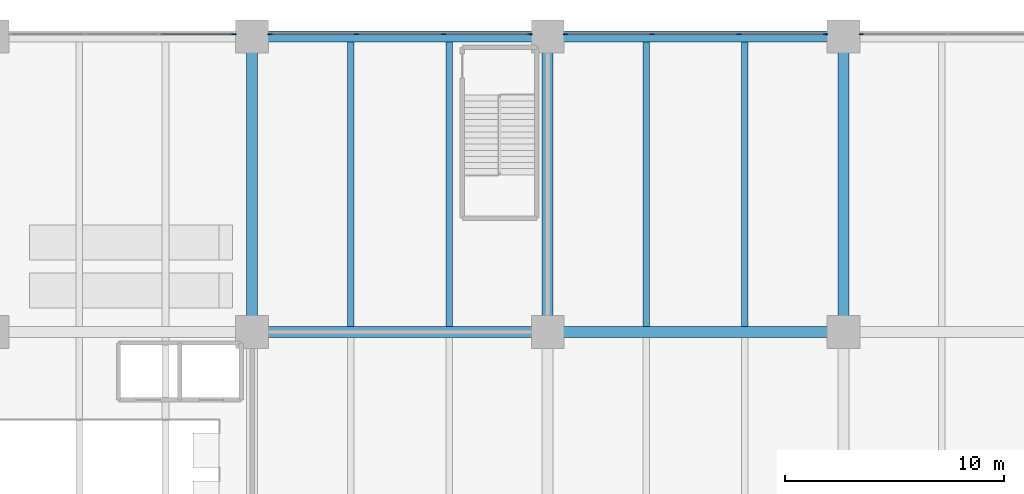
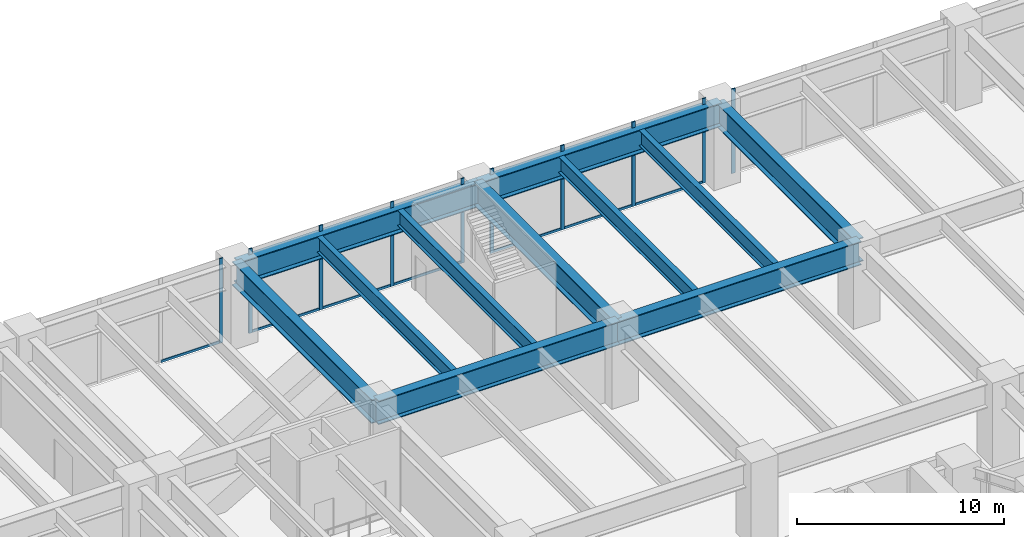
# One storey, part 16 of 32: 17 members, 11 beams, 4 elements without a shape of their own.
"""IFC4 building model written with IfcOpenShell, lengths in metres."""

from ifc_helpers import new_model, si_unit, direction, frame, origin, origin_2d, place, context, subcontext, project, spatial, rectangle, i_section, extrude, material, material_profile, profile_set, type_object, element, aggregate, save


model = new_model("IFC4")

# Units and contexts
model_context = context("Model", 3, precision=1e-05, world=origin(), true_north=direction((0.0, 1.0)))
body_context = subcontext(model_context, "Body", "Model", "MODEL_VIEW")
ifc_project = project(units=[si_unit("LENGTHUNIT", "METRE"), si_unit("AREAUNIT", "SQUARE_METRE"), si_unit("VOLUMEUNIT", "CUBIC_METRE"), si_unit("PLANEANGLEUNIT", "RADIAN"), si_unit("MASSUNIT", "GRAM", prefix="KILO")], contexts=[model_context])

# Site, building, storey
site_placement = place(None, origin())
site = spatial("IfcSite", under=ifc_project, at=site_placement, CompositionType="ELEMENT")
building_placement = place(site_placement, origin())
building = spatial("IfcBuilding", under=site, at=building_placement, Name="Upepo Twin Towers", CompositionType="ELEMENT")
storey_placement = place(building_placement, frame((0.0, 0.0, 5.5)))
storey = spatial("IfcBuildingStorey", under=building, at=storey_placement, Name="L01", CompositionType="ELEMENT", Elevation=5.5)

# Beams
ifc_material_1 = material(Name="Steel S355", Category="steel")
ifc_material_profile_1 = material_profile(ifc_material_1, i_section(OverallWidth=0.5, OverallDepth=1.39990234375, WebThickness=0.02490234375, FlangeThickness=0.050048828125, FilletRadius=0.008056640625, at=origin_2d()), Name="PG 1400x500x25x50")
ifc_profile_set_1 = profile_set([ifc_material_profile_1], Name="Steel S355")
beam_type_1 = type_object("IfcBeamType", Name="Beam PG 1400x500x25x50", PredefinedType="BEAM", material=ifc_profile_set_1)
for number, where, z_axis, x_axis, name in (
    (1, (40.5, 27.0, 3.949951171875), (1.0, 0.0, 0.0), (0.0, 1.0, 0.0), "Podium girder F/6-7"),
    (2, (54.0, 27.0, 3.949951171875), (1.0, 0.0, 0.0), (0.0, 1.0, 0.0), "Podium girder F/7-8"),
    (3, (40.5, 40.5, 3.949951171875), (1.0, 0.0, 0.0), (0.0, 1.0, 0.0), "Podium girder G/6-7"),
    (4, (54.0, 40.5, 3.949951171875), (1.0, 0.0, 0.0), (0.0, 1.0, 0.0), "Podium girder G/7-8"),
    (5, (40.5, 27.0, 3.949951171875), (0.0, 1.0, 0.0), (-1.0, 0.0, 0.0), "Podium girder 6/F-G"),
    (6, (54.0, 27.0, 3.949951171875), (0.0, 1.0, 0.0), (-1.0, 0.0, 0.0), "Podium girder 7/F-G"),
    (7, (67.5, 27.0, 3.949951171875), (0.0, 1.0, 0.0), (-1.0, 0.0, 0.0), "Podium girder 8/F-G"),
):
    element("IfcBeam", number, at=place(storey_placement, frame(where, z_axis=z_axis, x_axis=x_axis)), inside=storey, type_object=beam_type_1, Name=name, PredefinedType="BEAM", context=body_context, shape_type="SweptSolid", body=[
        extrude(i_section(OverallWidth=0.5, OverallDepth=1.39990234375, WebThickness=0.02490234375, FlangeThickness=0.050048828125, FilletRadius=0.008056640625, at=origin_2d()), origin(), (0.0, 0.0, 1.0), 13.5),
    ])

# Curtain wall, member
ifc_material_2 = material(Name="Aluminium and clear glass", Category="aluminium")
curtain_wall_type = type_object("IfcCurtainWallType", Name="Podium curtain wall PW1", PredefinedType="NOTDEFINED", material=ifc_material_2)
curtain_wall_1_placement = place(storey_placement, origin())
curtain_wall_1 = element("IfcCurtainWall", 8, at=curtain_wall_1_placement, inside=storey, type_object=curtain_wall_type, Name="Podium L01 curtain wall N2", PredefinedType="NOTDEFINED")
ifc_material_3 = material(Name="Aluminium mullion", Category="aluminium")
ifc_material_profile_2 = material_profile(ifc_material_3, rectangle(XDim=0.06494140625, YDim=0.199951171875, at=origin_2d()), Name="MULLION 65x200 PODIUM")
ifc_profile_set_2 = profile_set([ifc_material_profile_2], Name="Aluminium mullion")
member_type_1 = type_object("IfcMemberType", Name="Mullion 65x200 PW1", PredefinedType="MULLION", material=ifc_profile_set_2)
member_1_placement = place(storey_placement, frame((68.3173828125, 40.60009765625, 0.0), z_axis=(0.0, 0.0, 1.0), x_axis=(0.0, -1.0, 0.0)))
member_1 = element("IfcMember", 9, at=member_1_placement, type_object=member_type_1, Name="Podium L01 curtain wall N2 mullion 4", PredefinedType="MULLION", context=body_context, shape_type="SweptSolid", body=[
    extrude(rectangle(XDim=0.06494140625, YDim=0.199951171875, at=origin_2d()), origin(), (0.0, 0.0, 1.0), 5.0),
])
aggregate(curtain_wall_1, [member_1])

# Curtain wall, members
curtain_wall_2_placement = place(storey_placement, origin())
curtain_wall_2 = element("IfcCurtainWall", 10, at=curtain_wall_2_placement, inside=storey, type_object=curtain_wall_type, Name="Podium L01 curtain wall N3", PredefinedType="NOTDEFINED")
member_2_placement = place(storey_placement, frame((66.6826171875, 40.60009765625, 0.0), z_axis=(0.0, 0.0, 1.0), x_axis=(0.0, -1.0, 0.0)))
member_2 = element("IfcMember", 11, at=member_2_placement, type_object=member_type_1, Name="Podium L01 curtain wall N3 mullion 1", PredefinedType="MULLION", context=body_context, shape_type="SweptSolid", body=[
    extrude(rectangle(XDim=0.06494140625, YDim=0.199951171875, at=origin_2d()), origin(), (0.0, 0.0, 1.0), 5.0),
])
member_3_placement = place(storey_placement, frame((62.73828125, 40.60009765625, 0.0), z_axis=(0.0, 0.0, 1.0), x_axis=(0.0, -1.0, 0.0)))
member_3 = element("IfcMember", 12, at=member_3_placement, type_object=member_type_1, Name="Podium L01 curtain wall N3 mullion 2", PredefinedType="MULLION", context=body_context, shape_type="SweptSolid", body=[
    extrude(rectangle(XDim=0.06494140625, YDim=0.199951171875, at=origin_2d()), origin(), (0.0, 0.0, 1.0), 5.0),
])
member_4_placement = place(storey_placement, frame((58.76171875, 40.60009765625, 0.0), z_axis=(0.0, 0.0, 1.0), x_axis=(0.0, -1.0, 0.0)))
member_4 = element("IfcMember", 13, at=member_4_placement, type_object=member_type_1, Name="Podium L01 curtain wall N3 mullion 3", PredefinedType="MULLION", context=body_context, shape_type="SweptSolid", body=[
    extrude(rectangle(XDim=0.06494140625, YDim=0.199951171875, at=origin_2d()), origin(), (0.0, 0.0, 1.0), 5.0),
])
member_5_placement = place(storey_placement, frame((54.8173828125, 40.60009765625, 0.0), z_axis=(0.0, 0.0, 1.0), x_axis=(0.0, -1.0, 0.0)))
member_5 = element("IfcMember", 14, at=member_5_placement, type_object=member_type_1, Name="Podium L01 curtain wall N3 mullion 4", PredefinedType="MULLION", context=body_context, shape_type="SweptSolid", body=[
    extrude(rectangle(XDim=0.06494140625, YDim=0.199951171875, at=origin_2d()), origin(), (0.0, 0.0, 1.0), 5.0),
])

curtain_wall_3_placement = place(storey_placement, origin())
curtain_wall_3 = element("IfcCurtainWall", 15, at=curtain_wall_3_placement, inside=storey, type_object=curtain_wall_type, Name="Podium L01 curtain wall N4", PredefinedType="NOTDEFINED")
member_6_placement = place(storey_placement, frame((53.1826171875, 40.60009765625, 0.0), z_axis=(0.0, 0.0, 1.0), x_axis=(0.0, -1.0, 0.0)))
member_6 = element("IfcMember", 16, at=member_6_placement, type_object=member_type_1, Name="Podium L01 curtain wall N4 mullion 1", PredefinedType="MULLION", context=body_context, shape_type="SweptSolid", body=[
    extrude(rectangle(XDim=0.06494140625, YDim=0.199951171875, at=origin_2d()), origin(), (0.0, 0.0, 1.0), 5.0),
])
member_7_placement = place(storey_placement, frame((49.23828125, 40.60009765625, 0.0), z_axis=(0.0, 0.0, 1.0), x_axis=(0.0, -1.0, 0.0)))
member_7 = element("IfcMember", 17, at=member_7_placement, type_object=member_type_1, Name="Podium L01 curtain wall N4 mullion 2", PredefinedType="MULLION", context=body_context, shape_type="SweptSolid", body=[
    extrude(rectangle(XDim=0.06494140625, YDim=0.199951171875, at=origin_2d()), origin(), (0.0, 0.0, 1.0), 5.0),
])
member_8_placement = place(storey_placement, frame((45.26171875, 40.60009765625, 0.0), z_axis=(0.0, 0.0, 1.0), x_axis=(0.0, -1.0, 0.0)))
member_8 = element("IfcMember", 18, at=member_8_placement, type_object=member_type_1, Name="Podium L01 curtain wall N4 mullion 3", PredefinedType="MULLION", context=body_context, shape_type="SweptSolid", body=[
    extrude(rectangle(XDim=0.06494140625, YDim=0.199951171875, at=origin_2d()), origin(), (0.0, 0.0, 1.0), 5.0),
])
member_9_placement = place(storey_placement, frame((41.3173828125, 40.60009765625, 0.0), z_axis=(0.0, 0.0, 1.0), x_axis=(0.0, -1.0, 0.0)))
member_9 = element("IfcMember", 19, at=member_9_placement, type_object=member_type_1, Name="Podium L01 curtain wall N4 mullion 4", PredefinedType="MULLION", context=body_context, shape_type="SweptSolid", body=[
    extrude(rectangle(XDim=0.06494140625, YDim=0.199951171875, at=origin_2d()), origin(), (0.0, 0.0, 1.0), 5.0),
])

# Curtain wall, member
curtain_wall_4_placement = place(storey_placement, origin())
curtain_wall_4 = element("IfcCurtainWall", 20, at=curtain_wall_4_placement, inside=storey, type_object=curtain_wall_type, Name="Podium L01 curtain wall N5", PredefinedType="NOTDEFINED")
member_10_placement = place(storey_placement, frame((39.6826171875, 40.60009765625, 0.0), z_axis=(0.0, 0.0, 1.0), x_axis=(0.0, -1.0, 0.0)))
member_10 = element("IfcMember", 21, at=member_10_placement, type_object=member_type_1, Name="Podium L01 curtain wall N5 mullion 1", PredefinedType="MULLION", context=body_context, shape_type="SweptSolid", body=[
    extrude(rectangle(XDim=0.06494140625, YDim=0.199951171875, at=origin_2d()), origin(), (0.0, 0.0, 1.0), 5.0),
])

# Beams
ifc_material_4 = material(Name="Steel S355", Category="steel")
ifc_material_profile_3 = material_profile(ifc_material_4, i_section(OverallWidth=0.305419921875, OverallDepth=0.91845703125, WebThickness=0.017333984375, FlangeThickness=0.02783203125, FilletRadius=0.01904296875, at=origin_2d()), Name="UB 914x305x253")
ifc_profile_set_3 = profile_set([ifc_material_profile_3], Name="Steel S355")
beam_type_2 = type_object("IfcBeamType", Name="Secondary beam UB 914x305x253", PredefinedType="JOIST", material=ifc_profile_set_3)
for number, where, z_axis, x_axis, name in (
    (22, (45.0, 27.25, 4.19091796875), (0.0, 1.0, 0.0), (-1.0, 0.0, 0.0), "Podium secondary beam F6.1"),
    (23, (49.5, 27.25, 4.19091796875), (0.0, 1.0, 0.0), (-1.0, 0.0, 0.0), "Podium secondary beam F6.2"),
    (24, (58.5, 27.25, 4.19091796875), (0.0, 1.0, 0.0), (-1.0, 0.0, 0.0), "Podium secondary beam F7.1"),
    (25, (63.0, 27.25, 4.19091796875), (0.0, 1.0, 0.0), (-1.0, 0.0, 0.0), "Podium secondary beam F7.2"),
):
    element("IfcBeam", number, at=place(storey_placement, frame(where, z_axis=z_axis, x_axis=x_axis)), inside=storey, type_object=beam_type_2, Name=name, PredefinedType="JOIST", context=body_context, shape_type="SweptSolid", body=[
        extrude(i_section(OverallWidth=0.305419921875, OverallDepth=0.91845703125, WebThickness=0.017333984375, FlangeThickness=0.02783203125, FilletRadius=0.01904296875, at=origin_2d()), origin(), (0.0, 0.0, 1.0), 13.0),
    ])

# Member
ifc_material_5 = material(Name="Aluminium transom", Category="aluminium")
ifc_material_profile_4 = material_profile(ifc_material_5, rectangle(XDim=0.06494140625, YDim=0.14990234375, at=origin_2d()), Name="TRANSOM 65x150 PODIUM")
ifc_profile_set_4 = profile_set([ifc_material_profile_4], Name="Aluminium transom")
member_type_2 = type_object("IfcMemberType", Name="Transom 65x150 PW1", PredefinedType="USERDEFINED", material=ifc_profile_set_4)
member_11_placement = place(storey_placement, frame((66.64990234375, 40.60009765625, 0.074951171875), z_axis=(-1.0, 0.0, 0.0), x_axis=(0.0, -1.0, 0.0)))
member_11 = element("IfcMember", 26, at=member_11_placement, type_object=member_type_2, Name="Podium L01 curtain wall N3 transom 1", ObjectType="TRANSOM", PredefinedType="USERDEFINED", context=body_context, shape_type="SweptSolid", body=[
    extrude(rectangle(XDim=0.06494140625, YDim=0.14990234375, at=origin_2d()), origin(), (0.0, 0.0, 1.0), 3.879150390625),
])

member_12_placement = place(storey_placement, frame((62.705810546875, 40.60009765625, 0.074951171875), z_axis=(-1.0, 0.0, 0.0), x_axis=(0.0, -1.0, 0.0)))
member_12 = element("IfcMember", 27, at=member_12_placement, type_object=member_type_2, Name="Podium L01 curtain wall N3 transom 2", ObjectType="TRANSOM", PredefinedType="USERDEFINED", context=body_context, shape_type="SweptSolid", body=[
    extrude(rectangle(XDim=0.06494140625, YDim=0.14990234375, at=origin_2d()), origin(), (0.0, 0.0, 1.0), 3.91162109375),
])

member_13_placement = place(storey_placement, frame((58.729248046875, 40.60009765625, 0.074951171875), z_axis=(-1.0, 0.0, 0.0), x_axis=(0.0, -1.0, 0.0)))
member_13 = element("IfcMember", 28, at=member_13_placement, type_object=member_type_2, Name="Podium L01 curtain wall N3 transom 3", ObjectType="TRANSOM", PredefinedType="USERDEFINED", context=body_context, shape_type="SweptSolid", body=[
    extrude(rectangle(XDim=0.06494140625, YDim=0.14990234375, at=origin_2d()), origin(), (0.0, 0.0, 1.0), 3.879150390625),
])

aggregate(curtain_wall_2, [member_2, member_3, member_4, member_5, member_11, member_12, member_13])

member_14_placement = place(storey_placement, frame((53.14990234375, 40.60009765625, 0.074951171875), z_axis=(-1.0, 0.0, 0.0), x_axis=(0.0, -1.0, 0.0)))
member_14 = element("IfcMember", 29, at=member_14_placement, type_object=member_type_2, Name="Podium L01 curtain wall N4 transom 1", ObjectType="TRANSOM", PredefinedType="USERDEFINED", context=body_context, shape_type="SweptSolid", body=[
    extrude(rectangle(XDim=0.06494140625, YDim=0.14990234375, at=origin_2d()), origin(), (0.0, 0.0, 1.0), 3.879150390625),
])

member_15_placement = place(storey_placement, frame((49.205810546875, 40.60009765625, 0.074951171875), z_axis=(-1.0, 0.0, 0.0), x_axis=(0.0, -1.0, 0.0)))
member_15 = element("IfcMember", 30, at=member_15_placement, type_object=member_type_2, Name="Podium L01 curtain wall N4 transom 2", ObjectType="TRANSOM", PredefinedType="USERDEFINED", context=body_context, shape_type="SweptSolid", body=[
    extrude(rectangle(XDim=0.06494140625, YDim=0.14990234375, at=origin_2d()), origin(), (0.0, 0.0, 1.0), 3.91162109375),
])

member_16_placement = place(storey_placement, frame((45.229248046875, 40.60009765625, 0.074951171875), z_axis=(-1.0, 0.0, 0.0), x_axis=(0.0, -1.0, 0.0)))
member_16 = element("IfcMember", 31, at=member_16_placement, type_object=member_type_2, Name="Podium L01 curtain wall N4 transom 3", ObjectType="TRANSOM", PredefinedType="USERDEFINED", context=body_context, shape_type="SweptSolid", body=[
    extrude(rectangle(XDim=0.06494140625, YDim=0.14990234375, at=origin_2d()), origin(), (0.0, 0.0, 1.0), 3.879150390625),
])

aggregate(curtain_wall_3, [member_6, member_7, member_8, member_9, member_14, member_15, member_16])

member_17_placement = place(storey_placement, frame((39.64990234375, 40.60009765625, 0.074951171875), z_axis=(-1.0, 0.0, 0.0), x_axis=(0.0, -1.0, 0.0)))
member_17 = element("IfcMember", 32, at=member_17_placement, type_object=member_type_2, Name="Podium L01 curtain wall N5 transom 1", ObjectType="TRANSOM", PredefinedType="USERDEFINED", context=body_context, shape_type="SweptSolid", body=[
    extrude(rectangle(XDim=0.06494140625, YDim=0.14990234375, at=origin_2d()), origin(), (0.0, 0.0, 1.0), 3.3291015625),
])

aggregate(curtain_wall_4, [member_10, member_17])

save(model, "model.ifc")
